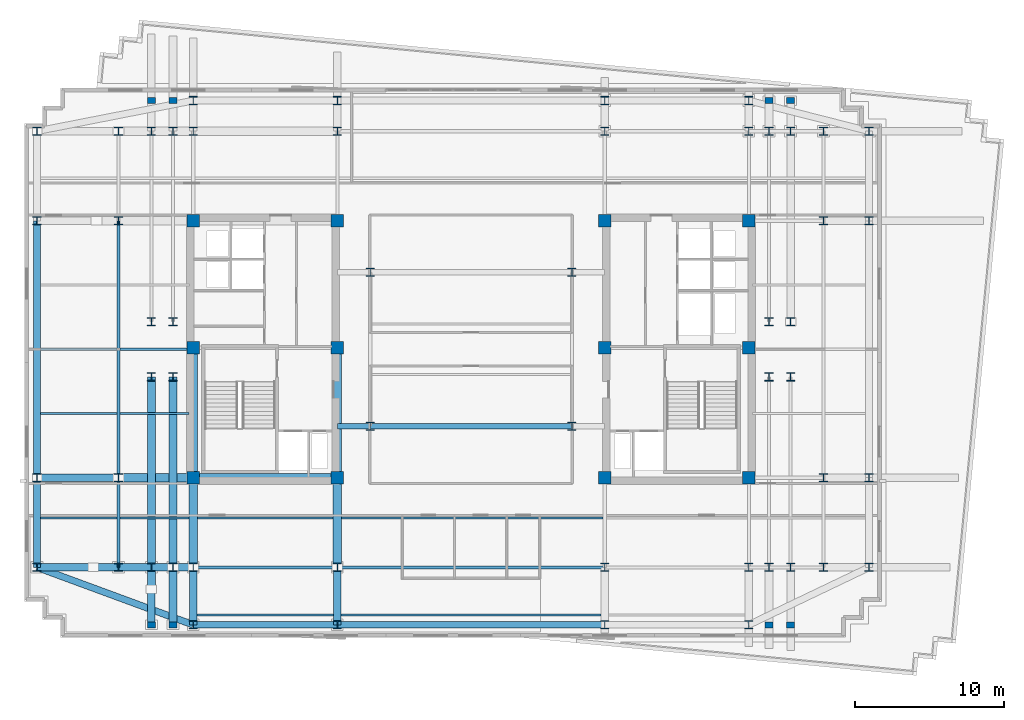
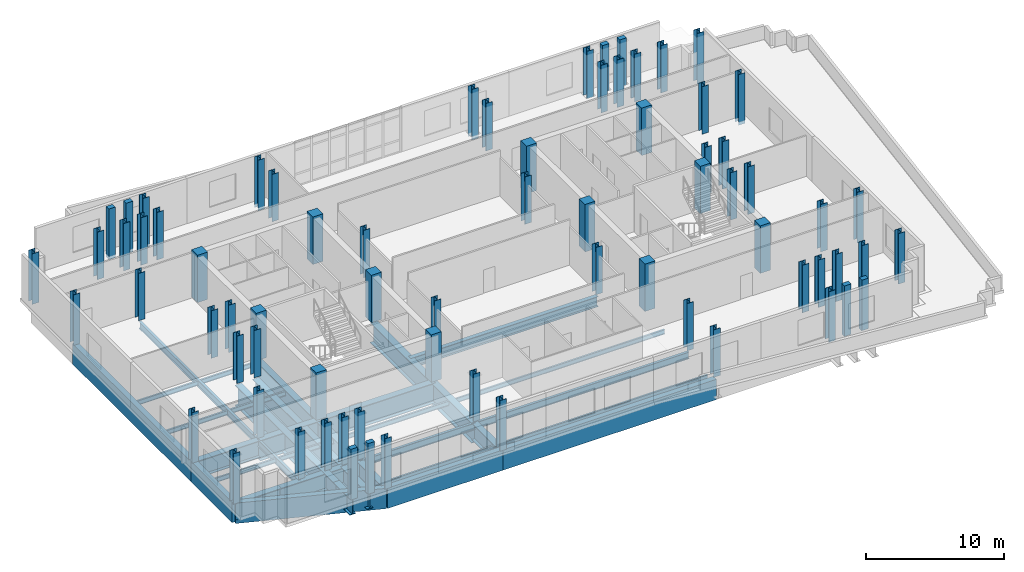
# One storey, part 1 of 11: 72 columns, 33 beams.
"""IFC4 building model written with IfcOpenShell, lengths in metres."""

from ifc_helpers import new_model, si_unit, direction, frame, origin, origin_2d, place, context, subcontext, project, spatial, rectangle, i_section, extrude, material, material_profile, profile_set, type_object, element, save


model = new_model("IFC4")

# Units and contexts
model_context = context("Model", 3, precision=1e-05, world=origin(), true_north=direction((0.0, 1.0)))
body_context = subcontext(model_context, "Body", "Model", "MODEL_VIEW")
ifc_project = project(units=[si_unit("LENGTHUNIT", "METRE"), si_unit("AREAUNIT", "SQUARE_METRE"), si_unit("VOLUMEUNIT", "CUBIC_METRE"), si_unit("PLANEANGLEUNIT", "RADIAN"), si_unit("MASSUNIT", "GRAM", prefix="KILO")], contexts=[model_context])

# Site, building, storey
site_placement = place(None, origin())
site = spatial("IfcSite", under=ifc_project, at=site_placement, CompositionType="ELEMENT")
building_placement = place(site_placement, origin())
building = spatial("IfcBuilding", under=site, at=building_placement, Name="Velakula Bourse", CompositionType="ELEMENT")
storey_placement = place(building_placement, frame((0.0, 0.0, 204.300048828125)))
storey = spatial("IfcBuildingStorey", under=building, at=storey_placement, Name="L55", CompositionType="ELEMENT", Elevation=204.300048828125)

# Columns
ifc_material_1 = material(Name="Concrete M50 (fck 50 MPa)", Category="concrete")
ifc_material_profile_1 = material_profile(ifc_material_1, rectangle(XDim=0.85009765625, YDim=0.85009765625, at=origin_2d()), Name="Concrete M50 (fck 50 MPa)")
ifc_profile_set_1 = profile_set([ifc_material_profile_1], Name="Concrete M50 (fck 50 MPa)")
column_type_1 = type_object("IfcColumnType", Name="COL-RC-850", PredefinedType="COLUMN", material=ifc_profile_set_1)
for number, where, z_axis, x_axis, name in (
    (1, (-8.949951171875, -8.60009765625, 0.0), (0.0, 0.0, 1.0), (1.0, 0.0, 0.0), "L55 Core Boundary Column 01"),
    (2, (-8.949951171875, 0.10009765625, 0.0), (0.0, 0.0, 1.0), (1.0, 0.0, 0.0), "L55 Core Boundary Column 02"),
    (3, (-8.949951171875, 8.60009765625, 0.0), (0.0, 0.0, 1.0), (1.0, 0.0, 0.0), "L55 Core Boundary Column 03"),
    (4, (-18.60009765625, -8.60009765625, 0.0), (0.0, 0.0, 1.0), (1.0, 0.0, 0.0), "L55 Core Boundary Column 04"),
    (5, (-18.60009765625, 0.10009765625, 0.0), (0.0, 0.0, 1.0), (1.0, 0.0, 0.0), "L55 Core Boundary Column 05"),
    (6, (-18.60009765625, 8.60009765625, 0.0), (0.0, 0.0, 1.0), (1.0, 0.0, 0.0), "L55 Core Boundary Column 06"),
    (7, (8.949951171875, -8.60009765625, 0.0), (0.0, 0.0, 1.0), (1.0, 0.0, 0.0), "L55 Core Boundary Column 07"),
    (8, (8.949951171875, 0.10009765625, 0.0), (0.0, 0.0, 1.0), (1.0, 0.0, 0.0), "L55 Core Boundary Column 08"),
    (9, (8.949951171875, 8.60009765625, 0.0), (0.0, 0.0, 1.0), (1.0, 0.0, 0.0), "L55 Core Boundary Column 09"),
    (10, (18.60009765625, -8.60009765625, 0.0), (0.0, 0.0, 1.0), (1.0, 0.0, 0.0), "L55 Core Boundary Column 10"),
    (11, (18.60009765625, 0.10009765625, 0.0), (0.0, 0.0, 1.0), (1.0, 0.0, 0.0), "L55 Core Boundary Column 11"),
    (12, (18.60009765625, 8.60009765625, 0.0), (0.0, 0.0, 1.0), (1.0, 0.0, 0.0), "L55 Core Boundary Column 12"),
):
    element("IfcColumn", number, at=place(storey_placement, frame(where, z_axis=z_axis, x_axis=x_axis)), inside=storey, type_object=column_type_1, Name=name, PredefinedType="COLUMN", context=body_context, shape_type="SweptSolid", body=[
        extrude(rectangle(XDim=0.85009765625, YDim=0.85009765625, at=origin_2d()), origin(), (0.0, 0.0, 1.0), 4.199951171875),
    ])
ifc_material_2 = material(Name="Steel IS 2062 Grade 350 (E350)", Category="steel")
ifc_material_profile_2 = material_profile(ifc_material_2, i_section(OverallWidth=0.550048828125, OverallDepth=0.550048828125, WebThickness=0.02392578125, FlangeThickness=0.035888671875, at=origin_2d()), Name="Steel IS 2062 Grade 350 (E350)")
ifc_profile_set_2 = profile_set([ifc_material_profile_2], Name="Steel IS 2062 Grade 350 (E350)")
column_type_2 = type_object("IfcColumnType", Name="COL-STL-550", PredefinedType="COLUMN", material=ifc_profile_set_2)
for number, where, z_axis, x_axis, name in (
    (13, (-6.75, -5.14990234375, 0.0), (0.0, 0.0, 1.0), (1.0, 0.0, 0.0), "L55 Central Spine Column 01"),
    (14, (-6.75, 5.14990234375, 0.0), (0.0, 0.0, 1.0), (1.0, 0.0, 0.0), "L55 Central Spine Column 02"),
    (15, (6.75, -5.14990234375, 0.0), (0.0, 0.0, 1.0), (1.0, 0.0, 0.0), "L55 Central Spine Column 03"),
    (16, (6.75, 5.14990234375, 0.0), (0.0, 0.0, 1.0), (1.0, 0.0, 0.0), "L55 Central Spine Column 04"),
    (17, (-21.39990234375, -14.60009765625, 0.0), (0.0, 0.0, 1.0), (1.0, 0.0, 0.0), "L55 Tower Fulcrum Column 01"),
    (18, (-21.39990234375, 14.60009765625, 0.0), (0.0, 0.0, 1.0), (1.0, 0.0, 0.0), "L55 Tower Fulcrum Column 02"),
    (19, (-19.949951171875, -14.60009765625, 0.0), (0.0, 0.0, 1.0), (1.0, 0.0, 0.0), "L55 Tower Fulcrum Column 03"),
    (20, (-19.949951171875, 14.60009765625, 0.0), (0.0, 0.0, 1.0), (1.0, 0.0, 0.0), "L55 Tower Fulcrum Column 04"),
    (21, (-18.60009765625, -14.60009765625, 0.0), (0.0, 0.0, 1.0), (1.0, 0.0, 0.0), "L55 Tower Fulcrum Column 05"),
    (22, (-18.60009765625, 14.60009765625, 0.0), (0.0, 0.0, 1.0), (1.0, 0.0, 0.0), "L55 Tower Fulcrum Column 06"),
    (23, (-8.949951171875, -14.60009765625, 0.0), (0.0, 0.0, 1.0), (1.0, 0.0, 0.0), "L55 Tower Fulcrum Column 07"),
    (24, (-8.949951171875, 14.60009765625, 0.0), (0.0, 0.0, 1.0), (1.0, 0.0, 0.0), "L55 Tower Fulcrum Column 08"),
    (25, (8.949951171875, -14.60009765625, 0.0), (0.0, 0.0, 1.0), (1.0, 0.0, 0.0), "L55 Tower Fulcrum Column 09"),
    (26, (8.949951171875, 14.60009765625, 0.0), (0.0, 0.0, 1.0), (1.0, 0.0, 0.0), "L55 Tower Fulcrum Column 10"),
    (27, (18.60009765625, -14.60009765625, 0.0), (0.0, 0.0, 1.0), (1.0, 0.0, 0.0), "L55 Tower Fulcrum Column 11"),
    (28, (18.60009765625, 14.60009765625, 0.0), (0.0, 0.0, 1.0), (1.0, 0.0, 0.0), "L55 Tower Fulcrum Column 12"),
    (29, (19.949951171875, -14.60009765625, 0.0), (0.0, 0.0, 1.0), (1.0, 0.0, 0.0), "L55 Tower Fulcrum Column 13"),
    (30, (19.949951171875, 14.60009765625, 0.0), (0.0, 0.0, 1.0), (1.0, 0.0, 0.0), "L55 Tower Fulcrum Column 14"),
    (31, (21.39990234375, -14.60009765625, 0.0), (0.0, 0.0, 1.0), (1.0, 0.0, 0.0), "L55 Tower Fulcrum Column 15"),
    (32, (21.39990234375, 14.60009765625, 0.0), (0.0, 0.0, 1.0), (1.0, 0.0, 0.0), "L55 Tower Fulcrum Column 16"),
    (33, (-21.39990234375, -1.85009765625, 0.0), (0.0, 0.0, 1.0), (1.0, 0.0, 0.0), "L55 Tower Fulcrum Column 17"),
    (34, (-21.39990234375, 1.85009765625, 0.0), (0.0, 0.0, 1.0), (1.0, 0.0, 0.0), "L55 Tower Fulcrum Column 18"),
    (35, (-19.949951171875, -1.85009765625, 0.0), (0.0, 0.0, 1.0), (1.0, 0.0, 0.0), "L55 Tower Fulcrum Column 19"),
    (36, (-19.949951171875, 1.85009765625, 0.0), (0.0, 0.0, 1.0), (1.0, 0.0, 0.0), "L55 Tower Fulcrum Column 20"),
    (37, (19.949951171875, -1.85009765625, 0.0), (0.0, 0.0, 1.0), (1.0, 0.0, 0.0), "L55 Tower Fulcrum Column 21"),
    (38, (19.949951171875, 1.85009765625, 0.0), (0.0, 0.0, 1.0), (1.0, 0.0, 0.0), "L55 Tower Fulcrum Column 22"),
    (39, (21.39990234375, -1.85009765625, 0.0), (0.0, 0.0, 1.0), (1.0, 0.0, 0.0), "L55 Tower Fulcrum Column 23"),
    (40, (21.39990234375, 1.85009765625, 0.0), (0.0, 0.0, 1.0), (1.0, 0.0, 0.0), "L55 Tower Fulcrum Column 24"),
    (41, (-23.60009765625, -14.60009765625, 0.0), (0.0, 0.0, 1.0), (1.0, 0.0, 0.0), "L55 Mid-Wing Plumb Column 01"),
    (42, (-23.60009765625, -8.60009765625, 0.0), (0.0, 0.0, 1.0), (1.0, 0.0, 0.0), "L55 Mid-Wing Plumb Column 02"),
    (43, (-23.60009765625, 8.60009765625, 0.0), (0.0, 0.0, 1.0), (1.0, 0.0, 0.0), "L55 Mid-Wing Plumb Column 03"),
    (44, (-23.60009765625, 14.60009765625, 0.0), (0.0, 0.0, 1.0), (1.0, 0.0, 0.0), "L55 Mid-Wing Plumb Column 04"),
    (45, (23.60009765625, -14.60009765625, 0.0), (0.0, 0.0, 1.0), (1.0, 0.0, 0.0), "L55 Mid-Wing Plumb Column 05"),
    (46, (23.60009765625, -8.60009765625, 0.0), (0.0, 0.0, 1.0), (1.0, 0.0, 0.0), "L55 Mid-Wing Plumb Column 06"),
    (47, (23.60009765625, 8.60009765625, 0.0), (0.0, 0.0, 1.0), (1.0, 0.0, 0.0), "L55 Mid-Wing Plumb Column 07"),
    (48, (23.60009765625, 14.60009765625, 0.0), (0.0, 0.0, 1.0), (1.0, 0.0, 0.0), "L55 Mid-Wing Plumb Column 08"),
):
    element("IfcColumn", number, at=place(storey_placement, frame(where, z_axis=z_axis, x_axis=x_axis)), inside=storey, type_object=column_type_2, Name=name, PredefinedType="COLUMN", context=body_context, shape_type="SweptSolid", body=[
        extrude(i_section(OverallWidth=0.550048828125, OverallDepth=0.550048828125, WebThickness=0.02392578125, FlangeThickness=0.035888671875, at=origin_2d()), origin(), (0.0, 0.0, 1.0), 4.199951171875),
    ])
for number, where, z_axis, x_axis, name in (
    (49, (-18.60009765625, -18.449951171875, -0.280029296875), (0.0, 0.0, 1.0), (1.0, 0.0, 0.0), "L55 Block B5 Perimeter Column S1"),
    (50, (-8.949951171875, -18.449951171875, -0.280029296875), (0.0, 0.0, 1.0), (1.0, 0.0, 0.0), "L55 Block B5 Perimeter Column S2"),
):
    element("IfcColumn", number, at=place(storey_placement, frame(where, z_axis=z_axis, x_axis=x_axis)), inside=storey, type_object=column_type_2, Name=name, PredefinedType="COLUMN", context=body_context, shape_type="SweptSolid", body=[
        extrude(i_section(OverallWidth=0.550048828125, OverallDepth=0.550048828125, WebThickness=0.02392578125, FlangeThickness=0.035888671875, at=origin_2d()), origin(), (0.0, 0.0, 1.0), 4.47998046875),
    ])
column_1_placement = place(storey_placement, frame((8.949951171875, -18.449951171875, 0.0), z_axis=(0.0, 0.0, 1.0), x_axis=(1.0, 0.0, 0.0)))
element("IfcColumn", 51, at=column_1_placement, inside=storey, type_object=column_type_2, Name="L55 Block B5 Perimeter Column S3", PredefinedType="COLUMN", context=body_context, shape_type="SweptSolid", body=[
    extrude(i_section(OverallWidth=0.550048828125, OverallDepth=0.550048828125, WebThickness=0.02392578125, FlangeThickness=0.035888671875, at=origin_2d()), origin(), (0.0, 0.0, 1.0), 4.199951171875),
])
for number, where, z_axis, x_axis, name in (
    (52, (18.60009765625, -18.449951171875, -0.280029296875), (0.0, 0.0, 1.0), (1.0, 0.0, 0.0), "L55 Block B5 Perimeter Column S4"),
    (53, (-18.60009765625, 16.64990234375, -0.280029296875), (0.0, 0.0, 1.0), (1.0, 0.0, 0.0), "L55 Block B5 Perimeter Column N1"),
    (54, (-8.949951171875, 16.64990234375, -0.280029296875), (0.0, 0.0, 1.0), (1.0, 0.0, 0.0), "L55 Block B5 Perimeter Column N2"),
    (55, (8.949951171875, 16.64990234375, -0.280029296875), (0.0, 0.0, 1.0), (1.0, 0.0, 0.0), "L55 Block B5 Perimeter Column N3"),
):
    element("IfcColumn", number, at=place(storey_placement, frame(where, z_axis=z_axis, x_axis=x_axis)), inside=storey, type_object=column_type_2, Name=name, PredefinedType="COLUMN", context=body_context, shape_type="SweptSolid", body=[
        extrude(i_section(OverallWidth=0.550048828125, OverallDepth=0.550048828125, WebThickness=0.02392578125, FlangeThickness=0.035888671875, at=origin_2d()), origin(), (0.0, 0.0, 1.0), 4.47998046875),
    ])
column_2_placement = place(storey_placement, frame((18.60009765625, 16.64990234375, 0.0), z_axis=(0.0, 0.0, 1.0), x_axis=(1.0, 0.0, 0.0)))
element("IfcColumn", 56, at=column_2_placement, inside=storey, type_object=column_type_2, Name="L55 Block B5 Perimeter Column N4", PredefinedType="COLUMN", context=body_context, shape_type="SweptSolid", body=[
    extrude(i_section(OverallWidth=0.550048828125, OverallDepth=0.550048828125, WebThickness=0.02392578125, FlangeThickness=0.035888671875, at=origin_2d()), origin(), (0.0, 0.0, 1.0), 4.199951171875),
])
for number, where, z_axis, x_axis, name in (
    (57, (-29.050048828125, -14.60009765625, -0.280029296875), (0.0, 0.0, 1.0), (1.0, 0.0, 0.0), "L55 Block B5 Perimeter Column W1"),
    (58, (-29.050048828125, -8.60009765625, -0.280029296875), (0.0, 0.0, 1.0), (1.0, 0.0, 0.0), "L55 Block B5 Perimeter Column W2"),
    (59, (-29.050048828125, 8.60009765625, -0.280029296875), (0.0, 0.0, 1.0), (1.0, 0.0, 0.0), "L55 Block B5 Perimeter Column W3"),
    (60, (-29.050048828125, 14.60009765625, -0.280029296875), (0.0, 0.0, 1.0), (1.0, 0.0, 0.0), "L55 Block B5 Perimeter Column W4"),
    (61, (26.64990234375, -14.60009765625, -0.280029296875), (0.0, 0.0, 1.0), (1.0, 0.0, 0.0), "L55 Block B5 Perimeter Column E1"),
    (62, (26.64990234375, -8.60009765625, -0.280029296875), (0.0, 0.0, 1.0), (1.0, 0.0, 0.0), "L55 Block B5 Perimeter Column E2"),
    (63, (26.64990234375, 8.60009765625, -0.280029296875), (0.0, 0.0, 1.0), (1.0, 0.0, 0.0), "L55 Block B5 Perimeter Column E3"),
    (64, (26.64990234375, 14.60009765625, -0.280029296875), (0.0, 0.0, 1.0), (1.0, 0.0, 0.0), "L55 Block B5 Perimeter Column E4"),
):
    element("IfcColumn", number, at=place(storey_placement, frame(where, z_axis=z_axis, x_axis=x_axis)), inside=storey, type_object=column_type_2, Name=name, PredefinedType="COLUMN", context=body_context, shape_type="SweptSolid", body=[
        extrude(i_section(OverallWidth=0.550048828125, OverallDepth=0.550048828125, WebThickness=0.02392578125, FlangeThickness=0.035888671875, at=origin_2d()), origin(), (0.0, 0.0, 1.0), 4.47998046875),
    ])
ifc_material_3 = material(Name="Precast concrete M45 (fck 45 MPa)", Category="concrete")
ifc_material_profile_3 = material_profile(ifc_material_3, rectangle(XDim=0.550048828125, YDim=0.39990234375, at=origin_2d()), Name="Precast concrete M45 (fck 45 MPa)")
ifc_profile_set_3 = profile_set([ifc_material_profile_3], Name="Precast concrete M45 (fck 45 MPa)")
column_type_3 = type_object("IfcColumnType", Name="PIL-BRICK-550", PredefinedType="PILASTER", material=ifc_profile_set_3)
for number, where, z_axis, x_axis, name in (
    (65, (-21.39990234375, -18.449951171875, -0.280029296875), (0.0, 0.0, 1.0), (1.0, 0.0, 0.0), "L55 Brick Pier Pilaster 01"),
    (66, (-19.949951171875, -18.449951171875, -0.280029296875), (0.0, 0.0, 1.0), (1.0, 0.0, 0.0), "L55 Brick Pier Pilaster 02"),
    (67, (19.949951171875, -18.449951171875, -0.280029296875), (0.0, 0.0, 1.0), (1.0, 0.0, 0.0), "L55 Brick Pier Pilaster 03"),
    (68, (21.39990234375, -18.449951171875, -0.280029296875), (0.0, 0.0, 1.0), (1.0, 0.0, 0.0), "L55 Brick Pier Pilaster 04"),
    (69, (-21.39990234375, 16.64990234375, -0.280029296875), (0.0, 0.0, 1.0), (1.0, 0.0, 0.0), "L55 Brick Pier Pilaster 05"),
    (70, (-19.949951171875, 16.64990234375, -0.280029296875), (0.0, 0.0, 1.0), (1.0, 0.0, 0.0), "L55 Brick Pier Pilaster 06"),
):
    element("IfcColumn", number, at=place(storey_placement, frame(where, z_axis=z_axis, x_axis=x_axis)), inside=storey, type_object=column_type_3, Name=name, PredefinedType="PILASTER", context=body_context, shape_type="SweptSolid", body=[
        extrude(rectangle(XDim=0.550048828125, YDim=0.39990234375, at=origin_2d()), origin(), (0.0, 0.0, 1.0), 4.47998046875),
    ])
for number, where, z_axis, x_axis, name in (
    (71, (19.949951171875, 16.64990234375, 0.0), (0.0, 0.0, 1.0), (1.0, 0.0, 0.0), "L55 Brick Pier Pilaster 07"),
    (72, (21.39990234375, 16.64990234375, 0.0), (0.0, 0.0, 1.0), (1.0, 0.0, 0.0), "L55 Brick Pier Pilaster 08"),
):
    element("IfcColumn", number, at=place(storey_placement, frame(where, z_axis=z_axis, x_axis=x_axis)), inside=storey, type_object=column_type_3, Name=name, PredefinedType="PILASTER", context=body_context, shape_type="SweptSolid", body=[
        extrude(rectangle(XDim=0.550048828125, YDim=0.39990234375, at=origin_2d()), origin(), (0.0, 0.0, 1.0), 4.199951171875),
    ])

# Beams
ifc_material_profile_4 = material_profile(ifc_material_2, i_section(OverallWidth=0.2099609375, OverallDepth=0.60009765625, WebThickness=0.011962890625, FlangeThickness=0.020751953125, at=origin_2d()), Name="Steel IS 2062 Grade 350 (E350)")
ifc_profile_set_4 = profile_set([ifc_material_profile_4], Name="Steel IS 2062 Grade 350 (E350)")
beam_type_1 = type_object("IfcBeamType", Name="BM-GRD-600L", PredefinedType="BEAM", material=ifc_profile_set_4)
beam_1_placement = place(storey_placement, frame((-18.60009765625, -14.60009765625, -0.580078125), z_axis=(1.0, 0.0, 0.0), x_axis=(0.0, 1.0, 0.0)))
element("IfcBeam", 73, at=beam_1_placement, inside=storey, type_object=beam_type_1, Name="L55 Fulcrum Grid Girder FLC-S1", PredefinedType="BEAM", context=body_context, shape_type="SweptSolid", body=[
    extrude(i_section(OverallWidth=0.2099609375, OverallDepth=0.60009765625, WebThickness=0.011962890625, FlangeThickness=0.020751953125, at=origin_2d()), origin(), (0.0, 0.0, 1.0), 9.650146484375),
])
beam_2_placement = place(storey_placement, frame((-8.949951171875, -14.60009765625, -0.580078125), z_axis=(1.0, 0.0, 0.0), x_axis=(0.0, 1.0, 0.0)))
element("IfcBeam", 74, at=beam_2_placement, inside=storey, type_object=beam_type_1, Name="L55 Fulcrum Grid Girder FLC-S2", PredefinedType="BEAM", context=body_context, shape_type="SweptSolid", body=[
    extrude(i_section(OverallWidth=0.2099609375, OverallDepth=0.60009765625, WebThickness=0.011962890625, FlangeThickness=0.020751953125, at=origin_2d()), origin(), (0.0, 0.0, 1.0), 17.89990234375),
])
beam_3_placement = place(storey_placement, frame((-23.60009765625, -14.60009765625, -0.580078125), z_axis=(0.0, 1.0, 0.0), x_axis=(-1.0, 0.0, 0.0)))
element("IfcBeam", 75, at=beam_3_placement, inside=storey, type_object=beam_type_1, Name="L55 Fulcrum Grid Girder MWG-WNS1", PredefinedType="BEAM", context=body_context, shape_type="SweptSolid", body=[
    extrude(i_section(OverallWidth=0.2099609375, OverallDepth=0.60009765625, WebThickness=0.011962890625, FlangeThickness=0.020751953125, at=origin_2d()), origin(), (0.0, 0.0, 1.0), 6.0),
])
beam_4_placement = place(storey_placement, frame((-23.60009765625, -8.60009765625, -0.580078125), z_axis=(0.0, 1.0, 0.0), x_axis=(-1.0, 0.0, 0.0)))
element("IfcBeam", 76, at=beam_4_placement, inside=storey, type_object=beam_type_1, Name="L55 Fulcrum Grid Girder MWG-WNS2", PredefinedType="BEAM", context=body_context, shape_type="SweptSolid", body=[
    extrude(i_section(OverallWidth=0.2099609375, OverallDepth=0.60009765625, WebThickness=0.011962890625, FlangeThickness=0.020751953125, at=origin_2d()), origin(), (0.0, 0.0, 1.0), 17.2001953125),
])
ifc_material_profile_5 = material_profile(ifc_material_2, i_section(OverallWidth=0.35009765625, OverallDepth=0.89990234375, WebThickness=0.02001953125, FlangeThickness=0.031982421875, at=origin_2d()), Name="Steel IS 2062 Grade 350 (E350)")
ifc_profile_set_5 = profile_set([ifc_material_profile_5], Name="Steel IS 2062 Grade 350 (E350)")
beam_type_2 = type_object("IfcBeamType", Name="BM-LNK-900", PredefinedType="BEAM", material=ifc_profile_set_5)
beam_5_placement = place(storey_placement, frame((-8.949951171875, -5.14990234375, -0.72998046875), z_axis=(1.0, 0.0, 0.0), x_axis=(0.0, 1.0, 0.0)))
element("IfcBeam", 77, at=beam_5_placement, inside=storey, type_object=beam_type_2, Name="L55 Primary Backbone Girder LNK-S1", PredefinedType="BEAM", context=body_context, shape_type="SweptSolid", body=[
    extrude(i_section(OverallWidth=0.35009765625, OverallDepth=0.89990234375, WebThickness=0.02001953125, FlangeThickness=0.031982421875, at=origin_2d()), origin(), (0.0, 0.0, 1.0), 2.199951171875),
])
beam_6_placement = place(storey_placement, frame((-6.75, -5.14990234375, -0.72998046875), z_axis=(1.0, 0.0, 0.0), x_axis=(0.0, 1.0, 0.0)))
element("IfcBeam", 78, at=beam_6_placement, inside=storey, type_object=beam_type_2, Name="L55 Primary Backbone Girder LNK-S2", PredefinedType="BEAM", context=body_context, shape_type="SweptSolid", body=[
    extrude(i_section(OverallWidth=0.35009765625, OverallDepth=0.89990234375, WebThickness=0.02001953125, FlangeThickness=0.031982421875, at=origin_2d()), origin(), (0.0, 0.0, 1.0), 13.5),
])
ifc_material_profile_6 = material_profile(ifc_material_2, i_section(OverallWidth=0.139892578125, OverallDepth=0.39990234375, WebThickness=0.0087890625, FlangeThickness=0.01611328125, at=origin_2d()), Name="Steel IS 2062 Grade 350 (E350)")
ifc_profile_set_6 = profile_set([ifc_material_profile_6], Name="Steel IS 2062 Grade 350 (E350)")
beam_type_3 = type_object("IfcBeamType", Name="JST-TWR-400", PredefinedType="JOIST", material=ifc_profile_set_6)
beam_7_placement = place(storey_placement, frame((-18.340087890625, -17.800048828125, -0.47998046875), z_axis=(1.0, 0.0, 0.0), x_axis=(0.0, 1.0, 0.0)))
element("IfcBeam", 79, at=beam_7_placement, inside=storey, type_object=beam_type_3, Name="L55 Trading Floor Composite Joist 01", PredefinedType="JOIST", context=body_context, shape_type="SweptSolid", body=[
    extrude(i_section(OverallWidth=0.139892578125, OverallDepth=0.39990234375, WebThickness=0.0087890625, FlangeThickness=0.01611328125, at=origin_2d()), origin(), (0.0, 0.0, 1.0), 9.130126953125),
])
beam_8_placement = place(storey_placement, frame((-8.68994140625, -17.800048828125, -0.47998046875), z_axis=(1.0, 0.0, 0.0), x_axis=(0.0, 1.0, 0.0)))
element("IfcBeam", 80, at=beam_8_placement, inside=storey, type_object=beam_type_3, Name="L55 Trading Floor Composite Joist 02", PredefinedType="JOIST", context=body_context, shape_type="SweptSolid", body=[
    extrude(i_section(OverallWidth=0.139892578125, OverallDepth=0.39990234375, WebThickness=0.0087890625, FlangeThickness=0.01611328125, at=origin_2d()), origin(), (0.0, 0.0, 1.0), 17.3798828125),
])
beam_9_placement = place(storey_placement, frame((-28.824951171875, -11.300048828125, -0.47998046875), z_axis=(1.0, 0.0, 0.0), x_axis=(0.0, 1.0, 0.0)))
element("IfcBeam", 81, at=beam_9_placement, inside=storey, type_object=beam_type_3, Name="L55 Trading Floor Composite Joist 04", PredefinedType="JOIST", context=body_context, shape_type="SweptSolid", body=[
    extrude(i_section(OverallWidth=0.139892578125, OverallDepth=0.39990234375, WebThickness=0.0087890625, FlangeThickness=0.01611328125, at=origin_2d()), origin(), (0.0, 0.0, 1.0), 5.119873046875),
])
beam_10_placement = place(storey_placement, frame((-23.4951171875, -11.300048828125, -0.47998046875), z_axis=(1.0, 0.0, 0.0), x_axis=(0.0, 1.0, 0.0)))
element("IfcBeam", 82, at=beam_10_placement, inside=storey, type_object=beam_type_3, Name="L55 Trading Floor Composite Joist 05", PredefinedType="JOIST", context=body_context, shape_type="SweptSolid", body=[
    extrude(i_section(OverallWidth=0.139892578125, OverallDepth=0.39990234375, WebThickness=0.0087890625, FlangeThickness=0.01611328125, at=origin_2d()), origin(), (0.0, 0.0, 1.0), 4.6201171875),
])
beam_11_placement = place(storey_placement, frame((-18.324951171875, -11.300048828125, -0.47998046875), z_axis=(1.0, 0.0, 0.0), x_axis=(0.0, 1.0, 0.0)))
element("IfcBeam", 83, at=beam_11_placement, inside=storey, type_object=beam_type_3, Name="L55 Trading Floor Composite Joist 06", PredefinedType="JOIST", context=body_context, shape_type="SweptSolid", body=[
    extrude(i_section(OverallWidth=0.139892578125, OverallDepth=0.39990234375, WebThickness=0.0087890625, FlangeThickness=0.01611328125, at=origin_2d()), origin(), (0.0, 0.0, 1.0), 9.099853515625),
])
beam_12_placement = place(storey_placement, frame((-8.675048828125, -11.300048828125, -0.47998046875), z_axis=(1.0, 0.0, 0.0), x_axis=(0.0, 1.0, 0.0)))
element("IfcBeam", 84, at=beam_12_placement, inside=storey, type_object=beam_type_3, Name="L55 Trading Floor Composite Joist 07", PredefinedType="JOIST", context=body_context, shape_type="SweptSolid", body=[
    extrude(i_section(OverallWidth=0.139892578125, OverallDepth=0.39990234375, WebThickness=0.0087890625, FlangeThickness=0.01611328125, at=origin_2d()), origin(), (0.0, 0.0, 1.0), 17.52001953125),
])
beam_13_placement = place(storey_placement, frame((-28.824951171875, -4.300048828125, -0.47998046875), z_axis=(1.0, 0.0, 0.0), x_axis=(0.0, 1.0, 0.0)))
element("IfcBeam", 85, at=beam_13_placement, inside=storey, type_object=beam_type_3, Name="L55 Trading Floor Composite Joist 20", PredefinedType="JOIST", context=body_context, shape_type="SweptSolid", body=[
    extrude(i_section(OverallWidth=0.139892578125, OverallDepth=0.39990234375, WebThickness=0.0087890625, FlangeThickness=0.01611328125, at=origin_2d()), origin(), (0.0, 0.0, 1.0), 5.119873046875),
])
beam_14_placement = place(storey_placement, frame((-23.4951171875, -4.300048828125, -0.47998046875), z_axis=(1.0, 0.0, 0.0), x_axis=(0.0, 1.0, 0.0)))
element("IfcBeam", 86, at=beam_14_placement, inside=storey, type_object=beam_type_3, Name="L55 Trading Floor Composite Joist 21", PredefinedType="JOIST", context=body_context, shape_type="SweptSolid", body=[
    extrude(i_section(OverallWidth=0.139892578125, OverallDepth=0.39990234375, WebThickness=0.0087890625, FlangeThickness=0.01611328125, at=origin_2d()), origin(), (0.0, 0.0, 1.0), 4.6201171875),
])
beam_15_placement = place(storey_placement, frame((-28.824951171875, 0.0, -0.47998046875), z_axis=(1.0, 0.0, 0.0), x_axis=(0.0, 1.0, 0.0)))
element("IfcBeam", 87, at=beam_15_placement, inside=storey, type_object=beam_type_3, Name="L55 Trading Floor Composite Joist 24", PredefinedType="JOIST", context=body_context, shape_type="SweptSolid", body=[
    extrude(i_section(OverallWidth=0.139892578125, OverallDepth=0.39990234375, WebThickness=0.0087890625, FlangeThickness=0.01611328125, at=origin_2d()), origin(), (0.0, 0.0, 1.0), 5.119873046875),
])
beam_16_placement = place(storey_placement, frame((-23.4951171875, 0.0, -0.47998046875), z_axis=(1.0, 0.0, 0.0), x_axis=(0.0, 1.0, 0.0)))
element("IfcBeam", 88, at=beam_16_placement, inside=storey, type_object=beam_type_3, Name="L55 Trading Floor Composite Joist 25", PredefinedType="JOIST", context=body_context, shape_type="SweptSolid", body=[
    extrude(i_section(OverallWidth=0.139892578125, OverallDepth=0.39990234375, WebThickness=0.0087890625, FlangeThickness=0.01611328125, at=origin_2d()), origin(), (0.0, 0.0, 1.0), 4.6201171875),
])
ifc_material_profile_7 = material_profile(ifc_material_1, rectangle(XDim=0.449951171875, YDim=1.800048828125, at=origin_2d()), Name="Concrete M50 (fck 50 MPa)")
ifc_profile_set_7 = profile_set([ifc_material_profile_7], Name="Concrete M50 (fck 50 MPa)")
beam_type_4 = type_object("IfcBeamType", Name="SPN-TRF-1800", PredefinedType="SPANDREL", material=ifc_profile_set_7)
beam_17_placement = place(storey_placement, frame((-18.60009765625, -18.449951171875, -1.179931640625), z_axis=(1.0, 0.0, 0.0), x_axis=(0.0, 1.0, 0.0)))
element("IfcBeam", 89, at=beam_17_placement, inside=storey, type_object=beam_type_4, Name="L55 Brick-Faced Precast Spandrel S1-S2", PredefinedType="SPANDREL", context=body_context, shape_type="SweptSolid", body=[
    extrude(rectangle(XDim=0.449951171875, YDim=1.800048828125, at=origin_2d()), origin(), (0.0, 0.0, 1.0), 9.650146484375),
])
beam_18_placement = place(storey_placement, frame((-8.949951171875, -18.449951171875, -1.179931640625), z_axis=(1.0, 0.0, 0.0), x_axis=(0.0, 1.0, 0.0)))
element("IfcBeam", 90, at=beam_18_placement, inside=storey, type_object=beam_type_4, Name="L55 Brick-Faced Precast Spandrel S2-S3", PredefinedType="SPANDREL", context=body_context, shape_type="SweptSolid", body=[
    extrude(rectangle(XDim=0.449951171875, YDim=1.800048828125, at=origin_2d()), origin(), (0.0, 0.0, 1.0), 17.89990234375),
])
beam_19_placement = place(storey_placement, frame((-29.050048828125, -14.60009765625, -1.179931640625), z_axis=(0.0, 1.0, 0.0), x_axis=(-1.0, 0.0, 0.0)))
element("IfcBeam", 91, at=beam_19_placement, inside=storey, type_object=beam_type_4, Name="L55 Brick-Faced Precast Spandrel W1-W2", PredefinedType="SPANDREL", context=body_context, shape_type="SweptSolid", body=[
    extrude(rectangle(XDim=0.449951171875, YDim=1.800048828125, at=origin_2d()), origin(), (0.0, 0.0, 1.0), 6.0),
])
beam_20_placement = place(storey_placement, frame((-29.050048828125, -8.60009765625, -1.179931640625), z_axis=(0.0, 1.0, 0.0), x_axis=(-1.0, 0.0, 0.0)))
element("IfcBeam", 92, at=beam_20_placement, inside=storey, type_object=beam_type_4, Name="L55 Brick-Faced Precast Spandrel W2-W3", PredefinedType="SPANDREL", context=body_context, shape_type="SweptSolid", body=[
    extrude(rectangle(XDim=0.449951171875, YDim=1.800048828125, at=origin_2d()), origin(), (0.0, 0.0, 1.0), 17.2001953125),
])
beam_21_placement = place(storey_placement, frame((-29.050048828125, -14.60009765625, -1.179931640625), z_axis=(0.93834685962, -0.34569519962, 0.0), x_axis=(0.34569519962, 0.93834685962, 0.0)))
element("IfcBeam", 93, at=beam_21_placement, inside=storey, type_object=beam_type_4, Name="L55 Brick-Faced Precast Spandrel W1-S1", PredefinedType="SPANDREL", context=body_context, shape_type="SweptSolid", body=[
    extrude(rectangle(XDim=0.449951171875, YDim=1.800048828125, at=origin_2d()), origin(), (0.0, 0.0, 1.0), 11.136474609375),
])
ifc_material_4 = material(Name="Steel IS 2062 Grade 450 (E450)", Category="steel")
ifc_material_profile_8 = material_profile(ifc_material_4, i_section(OverallWidth=0.52001953125, OverallDepth=1.5, WebThickness=0.030029296875, FlangeThickness=0.048095703125, at=origin_2d()), Name="Steel IS 2062 Grade 450 (E450)")
ifc_profile_set_8 = profile_set([ifc_material_profile_8], Name="Steel IS 2062 Grade 450 (E450)")
beam_type_5 = type_object("IfcBeamType", Name="TB-CANT-1500", PredefinedType="BEAM", material=ifc_profile_set_8)
for number, where, z_axis, x_axis, name in (
    (94, (-18.60009765625, -14.60009765625, -1.030029296875), (0.0, -1.0, 0.0), (1.0, 0.0, 0.0), "L55 Primary Cantilever Transfer Chord S1"),
    (95, (-8.949951171875, -14.60009765625, -1.030029296875), (0.0, -1.0, 0.0), (1.0, 0.0, 0.0), "L55 Primary Cantilever Transfer Chord S2"),
):
    element("IfcBeam", number, at=place(storey_placement, frame(where, z_axis=z_axis, x_axis=x_axis)), inside=storey, type_object=beam_type_5, Name=name, PredefinedType="BEAM", context=body_context, shape_type="SweptSolid", body=[
        extrude(i_section(OverallWidth=0.52001953125, OverallDepth=1.5, WebThickness=0.030029296875, FlangeThickness=0.048095703125, at=origin_2d()), origin(), (0.0, 0.0, 1.0), 3.849853515625),
    ])
beam_22_placement = place(storey_placement, frame((-18.60009765625, -14.60009765625, -1.030029296875), z_axis=(-1.0, 0.0, 0.0), x_axis=(0.0, -1.0, 0.0)))
element("IfcBeam", 96, at=beam_22_placement, inside=storey, type_object=beam_type_5, Name="L55 Collinear Transfer Back-Span Girder W1", PredefinedType="BEAM", context=body_context, shape_type="SweptSolid", body=[
    extrude(i_section(OverallWidth=0.52001953125, OverallDepth=1.5, WebThickness=0.030029296875, FlangeThickness=0.048095703125, at=origin_2d()), origin(), (0.0, 0.0, 1.0), 6.69287109375),
])
beam_23_placement = place(storey_placement, frame((-25.29296875, -14.60009765625, -1.030029296875), z_axis=(-1.0, 0.0, 0.0), x_axis=(0.0, -1.0, 0.0)))
element("IfcBeam", 97, at=beam_23_placement, inside=storey, type_object=beam_type_5, Name="L55 Primary Cantilever Transfer Chord W1", PredefinedType="BEAM", context=body_context, shape_type="SweptSolid", body=[
    extrude(i_section(OverallWidth=0.52001953125, OverallDepth=1.5, WebThickness=0.030029296875, FlangeThickness=0.048095703125, at=origin_2d()), origin(), (0.0, 0.0, 1.0), 3.757080078125),
])
beam_24_placement = place(storey_placement, frame((-23.60009765625, -8.60009765625, -1.030029296875), z_axis=(-1.0, 0.0, 0.0), x_axis=(0.0, -1.0, 0.0)))
element("IfcBeam", 98, at=beam_24_placement, inside=storey, type_object=beam_type_5, Name="L55 Primary Cantilever Transfer Chord W2", PredefinedType="BEAM", context=body_context, shape_type="SweptSolid", body=[
    extrude(i_section(OverallWidth=0.52001953125, OverallDepth=1.5, WebThickness=0.030029296875, FlangeThickness=0.048095703125, at=origin_2d()), origin(), (0.0, 0.0, 1.0), 5.449951171875),
])
beam_25_placement = place(storey_placement, frame((-21.39990234375, -16.05908203125, -1.030029296875), z_axis=(0.0, -1.0, 0.0), x_axis=(1.0, 0.0, 0.0)))
element("IfcBeam", 99, at=beam_25_placement, inside=storey, type_object=beam_type_5, Name="L55 Primary Cantilever Transfer Chord P01", PredefinedType="BEAM", context=body_context, shape_type="SweptSolid", body=[
    extrude(i_section(OverallWidth=0.52001953125, OverallDepth=1.5, WebThickness=0.030029296875, FlangeThickness=0.048095703125, at=origin_2d()), origin(), (0.0, 0.0, 1.0), 2.390869140625),
])
beam_26_placement = place(storey_placement, frame((-19.949951171875, -1.85009765625, -1.030029296875), z_axis=(0.0, -1.0, 0.0), x_axis=(1.0, 0.0, 0.0)))
element("IfcBeam", 100, at=beam_26_placement, inside=storey, type_object=beam_type_5, Name="L55 Collinear Transfer Back-Span Girder P02", PredefinedType="BEAM", context=body_context, shape_type="SweptSolid", body=[
    extrude(i_section(OverallWidth=0.52001953125, OverallDepth=1.5, WebThickness=0.030029296875, FlangeThickness=0.048095703125, at=origin_2d()), origin(), (0.0, 0.0, 1.0), 12.75),
])
beam_27_placement = place(storey_placement, frame((-19.949951171875, -14.60009765625, -1.030029296875), z_axis=(0.0, -1.0, 0.0), x_axis=(1.0, 0.0, 0.0)))
element("IfcBeam", 101, at=beam_27_placement, inside=storey, type_object=beam_type_5, Name="L55 Primary Cantilever Transfer Chord P02", PredefinedType="BEAM", context=body_context, shape_type="SweptSolid", body=[
    extrude(i_section(OverallWidth=0.52001953125, OverallDepth=1.5, WebThickness=0.030029296875, FlangeThickness=0.048095703125, at=origin_2d()), origin(), (0.0, 0.0, 1.0), 3.849853515625),
])
ifc_material_profile_9 = material_profile(ifc_material_4, i_section(OverallWidth=0.550048828125, OverallDepth=1.800048828125, WebThickness=0.031982421875, FlangeThickness=0.048095703125, at=origin_2d()), Name="Steel IS 2062 Grade 450 (E450)")
ifc_profile_set_9 = profile_set([ifc_material_profile_9], Name="Steel IS 2062 Grade 450 (E450)")
beam_type_6 = type_object("IfcBeamType", Name="TB-CANT-1800", PredefinedType="BEAM", material=ifc_profile_set_9)
for number, where, z_axis, x_axis, name in (
    (102, (-18.60009765625, 0.10009765625, -1.179931640625), (0.0, -1.0, 0.0), (1.0, 0.0, 0.0), "L55 Collinear Transfer Back-Span Girder S1"),
    (103, (-8.949951171875, 0.10009765625, -1.179931640625), (0.0, -1.0, 0.0), (1.0, 0.0, 0.0), "L55 Collinear Transfer Back-Span Girder S2"),
):
    element("IfcBeam", number, at=place(storey_placement, frame(where, z_axis=z_axis, x_axis=x_axis)), inside=storey, type_object=beam_type_6, Name=name, PredefinedType="BEAM", context=body_context, shape_type="SweptSolid", body=[
        extrude(i_section(OverallWidth=0.550048828125, OverallDepth=1.800048828125, WebThickness=0.031982421875, FlangeThickness=0.048095703125, at=origin_2d()), origin(), (0.0, 0.0, 1.0), 14.7001953125),
    ])
beam_28_placement = place(storey_placement, frame((-8.949951171875, -8.60009765625, -1.179931640625), z_axis=(-1.0, 0.0, 0.0), x_axis=(0.0, -1.0, 0.0)))
element("IfcBeam", 104, at=beam_28_placement, inside=storey, type_object=beam_type_6, Name="L55 Collinear Transfer Back-Span Girder W2", PredefinedType="BEAM", context=body_context, shape_type="SweptSolid", body=[
    extrude(i_section(OverallWidth=0.550048828125, OverallDepth=1.800048828125, WebThickness=0.031982421875, FlangeThickness=0.048095703125, at=origin_2d()), origin(), (0.0, 0.0, 1.0), 14.650146484375),
])
beam_29_placement = place(storey_placement, frame((-21.39990234375, -1.85009765625, -1.179931640625), z_axis=(0.0, -1.0, 0.0), x_axis=(1.0, 0.0, 0.0)))
element("IfcBeam", 105, at=beam_29_placement, inside=storey, type_object=beam_type_6, Name="L55 Collinear Transfer Back-Span Girder P01", PredefinedType="BEAM", context=body_context, shape_type="SweptSolid", body=[
    extrude(i_section(OverallWidth=0.550048828125, OverallDepth=1.800048828125, WebThickness=0.031982421875, FlangeThickness=0.048095703125, at=origin_2d()), origin(), (0.0, 0.0, 1.0), 14.208984375),
])

save(model, "model.ifc")
